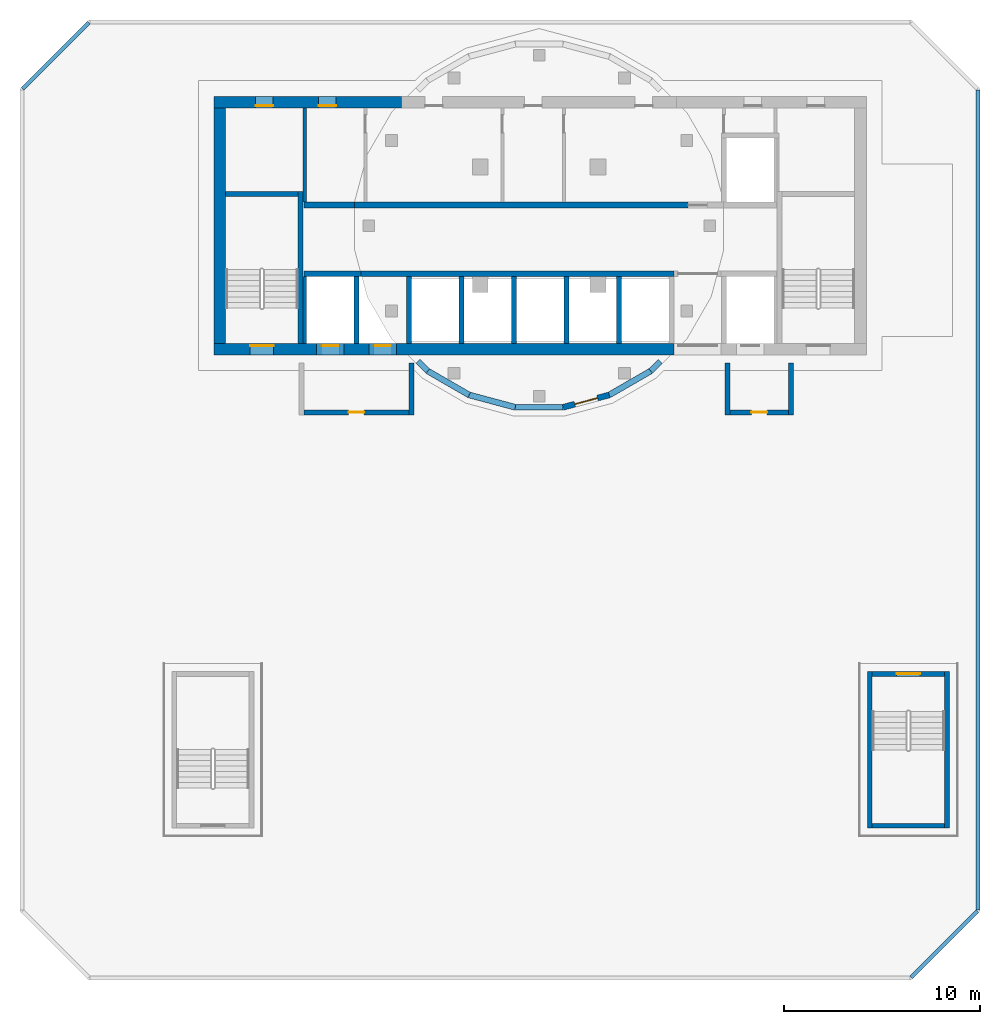
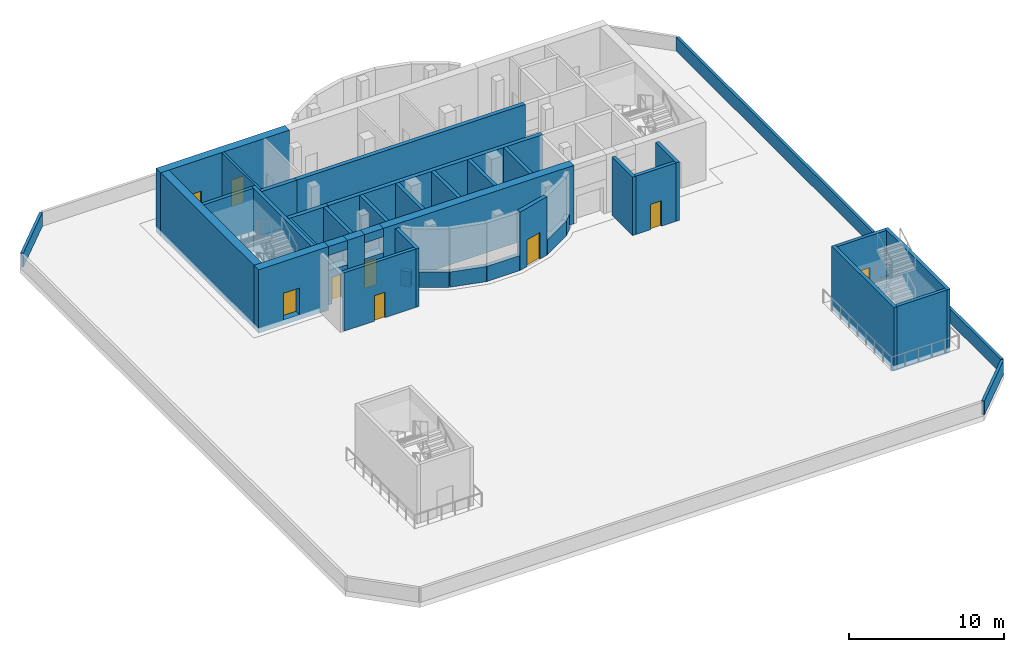
# One storey, part 2 of 7: 42 walls, 9 doors, 9 openings.
"""IFC4 building model written with IfcOpenShell, lengths in metres."""

from ifc_helpers import new_model, si_unit, direction, frame, frame_2d, origin, place, context, subcontext, project, spatial, rectangle, extrude, source, transform, mapped, material, layer, layer_set, type_object, element, fill, save


model = new_model("IFC4")

# Units and contexts
model_context = context("Model", 3, precision=1e-05, world=origin(), true_north=direction((0.0, 1.0)))
body_context = subcontext(model_context, "Body", "Model", "MODEL_VIEW")
ifc_project = project(units=[si_unit("LENGTHUNIT", "METRE"), si_unit("AREAUNIT", "SQUARE_METRE"), si_unit("VOLUMEUNIT", "CUBIC_METRE"), si_unit("PLANEANGLEUNIT", "RADIAN"), si_unit("MASSUNIT", "GRAM", prefix="KILO")], contexts=[model_context])

# Site, building, storey
site_placement = place(None, origin())
site = spatial("IfcSite", under=ifc_project, at=site_placement, CompositionType="ELEMENT")
building_placement = place(site_placement, origin())
building = spatial("IfcBuilding", under=site, at=building_placement, Name="Kilnfold Tower and Market Hall", CompositionType="ELEMENT")
storey_placement = place(building_placement, frame((0.0, 0.0, 318.800048828125)))
storey = spatial("IfcBuildingStorey", under=building, at=storey_placement, Name="L80 Crown Plant", CompositionType="ELEMENT", Elevation=318.800048828125)

# Walls
ifc_material_1 = material(Name="Concrete C50", Category="concrete")
ifc_layer_1 = layer(ifc_material_1, 0.25)
ifc_layer_set_1 = layer_set([ifc_layer_1], Name="Concrete C50")
wall_type_1 = type_object("IfcWallType", Name="CORE WALL 250 C50", PredefinedType="SHEAR", material=ifc_layer_set_1)
shared_shape_1 = source(origin(), body_context, "Body", "SweptSolid", [
    extrude(rectangle(XDim=7.75, YDim=0.25, at=frame_2d((3.875, 0.0))), origin(), (0.0, 0.0, 1.0), 5.0),
])
wall_1_placement = place(storey_placement, frame((-11.175048828125, 9.0, -0.400146484375), z_axis=(0.0, 0.0, 1.0), x_axis=(0.0, 1.0, 0.0)))
element("IfcWall", 1, at=wall_1_placement, inside=storey, type_object=wall_type_1, Name="Stair enclosure ST1", PredefinedType="SHEAR", context=body_context, shape_type="MappedRepresentation", body=[
    mapped(shared_shape_1, transform((0.0, 0.0, 0.0))),
])
shared_shape_2 = source(origin(), body_context, "Body", "SweptSolid", [
    extrude(rectangle(XDim=3.699951171875, YDim=0.25, at=frame_2d((1.85009765625, 0.0))), origin(), (0.0, 0.0, 1.0), 5.0),
])
for number, where, z_axis, x_axis, name in (
    (2, (-15.0, 16.625, -0.400146484375), (0.0, 0.0, 1.0), (1.0, 0.0, 0.0), "Stair enclosure ST1"),
    (3, (18.0, -15.625, -0.400146484375), (0.0, 0.0, 1.0), (1.0, 0.0, 0.0), "Stair enclosure ST4"),
):
    element("IfcWall", number, at=place(storey_placement, frame(where, z_axis=z_axis, x_axis=x_axis)), inside=storey, type_object=wall_type_1, Name=name, PredefinedType="SHEAR", context=body_context, shape_type="MappedRepresentation", body=[
        mapped(shared_shape_2, transform((0.0, 0.0, 0.0))),
    ])

# Wall, opening, door
wall_2_placement = place(storey_placement, frame((18.0, -7.875, -0.400146484375), z_axis=(0.0, 0.0, 1.0), x_axis=(1.0, 0.0, 0.0)))
wall_2 = element("IfcWall", 4, at=wall_2_placement, inside=storey, type_object=wall_type_1, Name="Stair enclosure ST4", PredefinedType="SHEAR", context=body_context, shape_type="MappedRepresentation", body=[
    mapped(shared_shape_2, transform((0.0, 0.0, 0.0))),
])
opening_1_placement = place(wall_2_placement, frame((1.25, 0.0, 0.39990234375)))
opening_1 = element("IfcOpeningElement", 5, at=opening_1_placement, cuts=wall_2, Name="Opening SD1", PredefinedType="OPENING", context=body_context, shape_type="SweptSolid", body=[
    extrude(rectangle(XDim=1.199951171875, YDim=2.10009765625, at=frame_2d((0.60009765625, 1.050048828125))), frame((0.0, 0.135009765625, 0.0), z_axis=(0.0, -1.0, 0.0), x_axis=(1.0, 0.0, 0.0)), (0.0, 0.0, 1.0), 0.27001953125),
])
ifc_material_2 = material(Name="Steel door set with fire-resisting leaf", Category="steel")
door_type_1 = type_object("IfcDoorType", Name="STAIR FLOOR DOOR 1200X2100", OperationType="NOTDEFINED", PredefinedType="DOOR", material=ifc_material_2)
door_1_placement = place(opening_1_placement, origin())
door_1 = element("IfcDoor", 6, at=door_1_placement, inside=storey, type_object=door_type_1, Name="Exit stair ST4 door", OperationType="DOUBLE_DOOR_SINGLE_SWING", OverallHeight=2.10009765625, OverallWidth=1.199951171875, PredefinedType="DOOR", context=body_context, shape_type="SweptSolid", body=[
    extrude(rectangle(XDim=1.199951171875, YDim=2.10009765625, at=frame_2d((0.60009765625, 1.050048828125))), frame((0.0, 0.02490234375, 0.0), z_axis=(0.0, -1.0, 0.0), x_axis=(1.0, 0.0, 0.0)), (0.0, 0.0, 1.0), 0.050048828125),
])
fill(opening_1, door_1)

# Walls
shared_shape_3 = source(origin(), body_context, "Body", "SweptSolid", [
    extrude(rectangle(XDim=8.0, YDim=0.25, at=frame_2d((4.0, 0.0))), origin(), (0.0, 0.0, 1.0), 5.0),
])
for number, where, z_axis, x_axis, name in (
    (7, (17.875, -15.75, -0.400146484375), (0.0, 0.0, 1.0), (0.0, 1.0, 0.0), "Stair enclosure ST4"),
    (8, (21.824951171875, -15.75, -0.400146484375), (0.0, 0.0, 1.0), (0.0, 1.0, 0.0), "Stair enclosure ST4"),
):
    element("IfcWall", number, at=place(storey_placement, frame(where, z_axis=z_axis, x_axis=x_axis)), inside=storey, type_object=wall_type_1, Name=name, PredefinedType="SHEAR", context=body_context, shape_type="MappedRepresentation", body=[
        mapped(shared_shape_3, transform((0.0, 0.0, 0.0))),
    ])

# Wall, opening, door
ifc_material_3 = material(Name="Concrete C50", Category="concrete")
ifc_layer_2 = layer(ifc_material_3, 0.60009765625)
ifc_layer_set_2 = layer_set([ifc_layer_2], Name="Concrete C50")
wall_type_2 = type_object("IfcWallType", Name="CORE WALL 600 C50", PredefinedType="SHEAR", material=ifc_layer_set_2)
shared_shape_4 = source(origin(), body_context, "Body", "SweptSolid", [
    extrude(rectangle(XDim=5.22998046875, YDim=0.60009765625, at=frame_2d((2.614990234375, 0.0))), origin(), (0.0, 0.0, 1.0), 5.0),
])
wall_3_placement = place(storey_placement, frame((-15.60009765625, 8.699951171875, -0.400146484375), z_axis=(0.0, 0.0, 1.0), x_axis=(1.0, 0.0, 0.0)))
wall_3 = element("IfcWall", 9, at=wall_3_placement, inside=storey, type_object=wall_type_2, Name="Core outer wall south", PredefinedType="SHEAR", context=body_context, shape_type="MappedRepresentation", body=[
    mapped(shared_shape_4, transform((0.0, 0.0, 0.0))),
])
opening_2_placement = place(wall_3_placement, frame((1.85009765625, 0.0, 0.39990234375)))
opening_2 = element("IfcOpeningElement", 10, at=opening_2_placement, cuts=wall_3, Name="Opening SD1", PredefinedType="OPENING", context=body_context, shape_type="SweptSolid", body=[
    extrude(rectangle(XDim=1.199951171875, YDim=2.10009765625, at=frame_2d((0.60009765625, 1.050048828125))), frame((0.0, 0.31005859375, 0.0), z_axis=(0.0, -1.0, 0.0), x_axis=(1.0, 0.0, 0.0)), (0.0, 0.0, 1.0), 0.6201171875),
])
door_2_placement = place(opening_2_placement, origin())
door_2 = element("IfcDoor", 11, at=door_2_placement, inside=storey, type_object=door_type_1, Name="Exit stair ST1 door", OperationType="DOUBLE_DOOR_SINGLE_SWING", OverallHeight=2.10009765625, OverallWidth=1.199951171875, PredefinedType="DOOR", context=body_context, shape_type="SweptSolid", body=[
    extrude(rectangle(XDim=1.199951171875, YDim=2.10009765625, at=frame_2d((0.60009765625, 1.050048828125))), frame((0.0, 0.205078125, 0.0), z_axis=(0.0, -1.0, 0.0), x_axis=(1.0, 0.0, 0.0)), (0.0, 0.0, 1.0), 0.050048828125),
])
fill(opening_2, door_2)

# Walls
shared_shape_5 = source(origin(), body_context, "Body", "SweptSolid", [
    extrude(rectangle(XDim=1.280029296875, YDim=0.60009765625, at=frame_2d((0.64013671875, 0.0))), origin(), (0.0, 0.0, 1.0), 5.0),
])
wall_4_placement = place(storey_placement, frame((-8.969970703125, 8.699951171875, -0.400146484375), z_axis=(0.0, 0.0, 1.0), x_axis=(1.0, 0.0, 0.0)))
element("IfcWall", 12, at=wall_4_placement, inside=storey, type_object=wall_type_2, Name="Core outer wall south", PredefinedType="SHEAR", context=body_context, shape_type="MappedRepresentation", body=[
    mapped(shared_shape_5, transform((0.0, 0.0, 0.0))),
])
shared_shape_6 = source(origin(), body_context, "Body", "SweptSolid", [
    extrude(rectangle(XDim=14.179931640625, YDim=0.60009765625, at=frame_2d((7.08984375, 0.0))), origin(), (0.0, 0.0, 1.0), 4.599853515625),
])
wall_5_placement = place(storey_placement, frame((-6.2900390625, 8.699951171875, 0.0), z_axis=(0.0, 0.0, 1.0), x_axis=(1.0, 0.0, 0.0)))
element("IfcWall", 13, at=wall_5_placement, inside=storey, type_object=wall_type_2, Name="Core outer wall south", PredefinedType="SHEAR", context=body_context, shape_type="MappedRepresentation", body=[
    mapped(shared_shape_6, transform((0.0, 0.0, 0.0))),
])

# Wall, openings, doors
shared_shape_7 = source(origin(), body_context, "Body", "SweptSolid", [
    extrude(rectangle(XDim=9.580078125, YDim=0.60009765625, at=frame_2d((4.7900390625, 0.0))), origin(), (0.0, 0.0, 1.0), 5.0),
])
wall_6_placement = place(storey_placement, frame((-15.60009765625, 21.300048828125, -0.400146484375), z_axis=(0.0, 0.0, 1.0), x_axis=(1.0, 0.0, 0.0)))
wall_6 = element("IfcWall", 14, at=wall_6_placement, inside=storey, type_object=wall_type_2, Name="Core outer wall north", PredefinedType="SHEAR", context=body_context, shape_type="MappedRepresentation", body=[
    mapped(shared_shape_7, transform((0.0, 0.0, 0.0))),
])
opening_3_placement = place(wall_6_placement, frame((5.340087890625, 0.0, 0.39990234375)))
opening_3 = element("IfcOpeningElement", 15, at=opening_3_placement, cuts=wall_6, Name="Opening KD1", PredefinedType="OPENING", context=body_context, shape_type="SweptSolid", body=[
    extrude(rectangle(XDim=0.89990234375, YDim=2.10009765625, at=frame_2d((0.449951171875, 1.050048828125))), frame((0.0, 0.31005859375, 0.0), z_axis=(0.0, -1.0, 0.0), x_axis=(1.0, 0.0, 0.0)), (0.0, 0.0, 1.0), 0.6201171875),
])
opening_4_placement = place(wall_6_placement, frame((2.125, 0.0, 0.39990234375)))
opening_4 = element("IfcOpeningElement", 16, at=opening_4_placement, cuts=wall_6, Name="Opening KD1", PredefinedType="OPENING", context=body_context, shape_type="SweptSolid", body=[
    extrude(rectangle(XDim=0.89990234375, YDim=2.10009765625, at=frame_2d((0.449951171875, 1.050048828125))), frame((0.0, 0.31005859375, 0.0), z_axis=(0.0, -1.0, 0.0), x_axis=(1.0, 0.0, 0.0)), (0.0, 0.0, 1.0), 0.6201171875),
])
ifc_material_4 = material(Name="Steel door set with fire-resisting leaf", Category="steel")
door_type_2 = type_object("IfcDoorType", Name="SERVICE DOOR 900X2100", OperationType="NOTDEFINED", PredefinedType="DOOR", material=ifc_material_4)
door_3_placement = place(opening_3_placement, origin())
door_3 = element("IfcDoor", 17, at=door_3_placement, inside=storey, type_object=door_type_2, Name="Core service door", OperationType="SINGLE_SWING_RIGHT", OverallHeight=2.10009765625, OverallWidth=0.89990234375, PredefinedType="DOOR", context=body_context, shape_type="SweptSolid", body=[
    extrude(rectangle(XDim=0.89990234375, YDim=2.10009765625, at=frame_2d((0.449951171875, 1.050048828125))), frame((0.0, -0.15478515625, 0.0), z_axis=(0.0, -1.0, 0.0), x_axis=(1.0, 0.0, 0.0)), (0.0, 0.0, 1.0), 0.050048828125),
])
fill(opening_3, door_3)
door_4_placement = place(opening_4_placement, origin())
door_4 = element("IfcDoor", 18, at=door_4_placement, inside=storey, type_object=door_type_2, Name="Electrical riser access door", OperationType="SINGLE_SWING_LEFT", OverallHeight=2.10009765625, OverallWidth=0.89990234375, PredefinedType="DOOR", context=body_context, shape_type="SweptSolid", body=[
    extrude(rectangle(XDim=0.89990234375, YDim=2.10009765625, at=frame_2d((0.449951171875, 1.050048828125))), frame((0.0, -0.15478515625, 0.0), z_axis=(0.0, -1.0, 0.0), x_axis=(1.0, 0.0, 0.0)), (0.0, 0.0, 1.0), 0.050048828125),
])
fill(opening_4, door_4)

# Walls
shared_shape_8 = source(origin(), body_context, "Body", "SweptSolid", [
    extrude(rectangle(XDim=12.0, YDim=0.60009765625, at=frame_2d((6.0, 0.0))), origin(), (0.0, 0.0, 1.0), 5.0),
])
wall_7_placement = place(storey_placement, frame((-15.300048828125, 9.0, -0.400146484375), z_axis=(0.0, 0.0, 1.0), x_axis=(0.0, 1.0, 0.0)))
element("IfcWall", 19, at=wall_7_placement, inside=storey, type_object=wall_type_2, Name="Core outer wall west", PredefinedType="SHEAR", context=body_context, shape_type="MappedRepresentation", body=[
    mapped(shared_shape_8, transform((0.0, 0.0, 0.0))),
])
ifc_material_5 = material(Name="Concrete C50", Category="concrete")
ifc_layer_3 = layer(ifc_material_5, 0.300048828125)
ifc_layer_set_3 = layer_set([ifc_layer_3], Name="Concrete C50")
wall_type_3 = type_object("IfcWallType", Name="CORE WALL 300 C50", PredefinedType="SHEAR", material=ifc_layer_set_3)
shared_shape_9 = source(origin(), body_context, "Body", "SweptSolid", [
    extrude(rectangle(XDim=15.984375, YDim=0.300048828125, at=frame_2d((7.9921875, 0.0))), origin(), (0.0, 0.0, 1.0), 4.599853515625),
])
wall_8_placement = place(storey_placement, frame((-8.094482421875, 12.550048828125, 0.0), z_axis=(0.0, 0.0, 1.0), x_axis=(1.0, 0.0, 0.0)))
element("IfcWall", 20, at=wall_8_placement, inside=storey, type_object=wall_type_3, Name="Core spine wall", PredefinedType="SHEAR", context=body_context, shape_type="MappedRepresentation", body=[
    mapped(shared_shape_9, transform((0.0, 0.0, 0.0))),
])
shared_shape_10 = source(origin(), body_context, "Body", "SweptSolid", [
    extrude(rectangle(XDim=2.91552734375, YDim=0.300048828125, at=frame_2d((1.457763671875, 0.0))), origin(), (0.0, 0.0, 1.0), 5.0),
])
wall_9_placement = place(storey_placement, frame((-11.010009765625, 12.550048828125, -0.400146484375), z_axis=(0.0, 0.0, 1.0), x_axis=(1.0, 0.0, 0.0)))
element("IfcWall", 21, at=wall_9_placement, inside=storey, type_object=wall_type_3, Name="Core spine wall", PredefinedType="SHEAR", context=body_context, shape_type="MappedRepresentation", body=[
    mapped(shared_shape_10, transform((0.0, 0.0, 0.0))),
])
shared_shape_11 = source(origin(), body_context, "Body", "SweptSolid", [
    extrude(rectangle(XDim=17.0087890625, YDim=0.300048828125, at=frame_2d((8.50439453125, 0.0))), origin(), (0.0, 0.0, 1.0), 4.599853515625),
])
wall_10_placement = place(storey_placement, frame((-8.418701171875, 16.050048828125, 0.0), z_axis=(0.0, 0.0, 1.0), x_axis=(1.0, 0.0, 0.0)))
element("IfcWall", 22, at=wall_10_placement, inside=storey, type_object=wall_type_3, Name="Core spine wall", PredefinedType="SHEAR", context=body_context, shape_type="MappedRepresentation", body=[
    mapped(shared_shape_11, transform((0.0, 0.0, 0.0))),
])
shared_shape_12 = source(origin(), body_context, "Body", "SweptSolid", [
    extrude(rectangle(XDim=2.59130859375, YDim=0.300048828125, at=frame_2d((1.295654296875, 0.0))), origin(), (0.0, 0.0, 1.0), 5.0),
])
wall_11_placement = place(storey_placement, frame((-11.010009765625, 16.050048828125, -0.400146484375), z_axis=(0.0, 0.0, 1.0), x_axis=(1.0, 0.0, 0.0)))
element("IfcWall", 23, at=wall_11_placement, inside=storey, type_object=wall_type_3, Name="Core spine wall", PredefinedType="SHEAR", context=body_context, shape_type="MappedRepresentation", body=[
    mapped(shared_shape_12, transform((0.0, 0.0, 0.0))),
])
shared_shape_13 = source(origin(), body_context, "Body", "SweptSolid", [
    extrude(rectangle(XDim=1.400146484375, YDim=0.60009765625, at=frame_2d((0.7001953125, 0.0))), origin(), (0.0, 0.0, 1.0), 0.699951171875),
])
wall_12_placement = place(storey_placement, frame((-10.3701171875, 8.699951171875, 3.89990234375), z_axis=(0.0, 0.0, 1.0), x_axis=(1.0, 0.0, 0.0)))
element("IfcWall", 24, at=wall_12_placement, inside=storey, type_object=wall_type_2, Name="Core wall over opening", PredefinedType="SHEAR", context=body_context, shape_type="MappedRepresentation", body=[
    mapped(shared_shape_13, transform((0.0, 0.0, 0.0))),
])
shared_shape_14 = source(origin(), body_context, "Body", "SweptSolid", [
    extrude(rectangle(XDim=1.39990234375, YDim=0.60009765625, at=frame_2d((0.699951171875, 0.0))), origin(), (0.0, 0.0, 1.0), 0.64990234375),
])
wall_13_placement = place(storey_placement, frame((-7.68994140625, 8.699951171875, 3.949951171875), z_axis=(0.0, 0.0, 1.0), x_axis=(1.0, 0.0, 0.0)))
element("IfcWall", 25, at=wall_13_placement, inside=storey, type_object=wall_type_2, Name="Core wall over opening", PredefinedType="SHEAR", context=body_context, shape_type="MappedRepresentation", body=[
    mapped(shared_shape_14, transform((0.0, 0.0, 0.0))),
])
ifc_material_6 = material(Name="Precast concrete C50/60", Category="concrete")
ifc_layer_4 = layer(ifc_material_6, 0.300048828125)
ifc_layer_set_4 = layer_set([ifc_layer_4], Name="Precast concrete C50/60")
wall_type_4 = type_object("IfcWallType", Name="PRECAST WALL 300", PredefinedType="SOLIDWALL", material=ifc_layer_set_4)
shared_shape_15 = source(origin(), body_context, "Body", "SweptSolid", [
    extrude(rectangle(XDim=2.4404296875, YDim=0.300048828125, at=frame_2d((1.22021484375, 0.0))), origin(), (0.0, 0.0, 1.0), 1.199951171875),
])
for number, where, z_axis, x_axis, name in (
    (26, (-0.22021484375, 5.731201171875, 0.0), (0.0, 0.0, 1.0), (1.0, 0.0, 0.0), "Drum knee wall L80 1"),
    (27, (4.57763671875, 6.36279296875, 0.0), (0.0, 0.0, 1.0), (0.866030657337, 0.49999090047, 0.0), "Drum knee wall L80 3"),
    (28, (-4.691162109375, 7.5830078125, 0.0), (0.0, 0.0, 1.0), (0.866030657337, -0.49999090047, 0.0), "Drum knee wall L80 23"),
):
    element("IfcWall", number, at=place(storey_placement, frame(where, z_axis=z_axis, x_axis=x_axis)), inside=storey, type_object=wall_type_4, Name=name, PredefinedType="SOLIDWALL", context=body_context, shape_type="MappedRepresentation", body=[
        mapped(shared_shape_15, transform((0.0, 0.0, 0.0))),
    ])

# Wall, opening, door
shared_shape_16 = source(origin(), body_context, "Body", "SweptSolid", [
    extrude(rectangle(XDim=2.440673828125, YDim=0.300048828125, at=frame_2d((1.22021484375, 0.0))), origin(), (0.0, 0.0, 1.0), 4.599853515625),
])
wall_14_placement = place(storey_placement, frame((2.22021484375, 5.731201171875, 0.0), z_axis=(0.0, 0.0, 1.0), x_axis=(0.96593376363, 0.258789420724, 0.0)))
wall_14 = element("IfcWall", 29, at=wall_14_placement, inside=storey, type_object=wall_type_4, Name="Drum wall L80 2", PredefinedType="SOLIDWALL", context=body_context, shape_type="MappedRepresentation", body=[
    mapped(shared_shape_16, transform((0.0, 0.0, 0.0))),
])
opening_5_placement = place(wall_14_placement, frame((0.6201171875, 0.0, 0.0)))
opening_5 = element("IfcOpeningElement", 30, at=opening_5_placement, cuts=wall_14, Name="Opening PD1", PredefinedType="OPENING", context=body_context, shape_type="SweptSolid", body=[
    extrude(rectangle(XDim=1.199951171875, YDim=2.10009765625, at=frame_2d((0.60009765625, 1.050048828125))), frame((0.0, 0.16015625, 0.0), z_axis=(0.0, -1.0, 0.0), x_axis=(1.0, 0.0, 0.0)), (0.0, 0.0, 1.0), 0.320068359375),
])
ifc_material_7 = material(Name="Galvanised steel and insulated core", Category="steel")
door_type_3 = type_object("IfcDoorType", Name="PLANT DOOR 1200X2100", OperationType="NOTDEFINED", PredefinedType="DOOR", material=ifc_material_7)
door_5_placement = place(opening_5_placement, origin())
door_5 = element("IfcDoor", 31, at=door_5_placement, inside=storey, type_object=door_type_3, Name="Roof access door PD1 L80", OperationType="SINGLE_SWING_RIGHT", OverallHeight=2.10009765625, OverallWidth=1.199951171875, PredefinedType="DOOR", context=body_context, shape_type="SweptSolid", body=[
    extrude(rectangle(XDim=1.199951171875, YDim=2.10009765625, at=frame_2d((0.60009765625, 1.050048828125))), frame((0.0, 0.02490234375, 0.0), z_axis=(0.0, -1.0, 0.0), x_axis=(1.0, 0.0, 0.0)), (0.0, 0.0, 1.0), 0.050048828125),
])
fill(opening_5, door_5)

# Walls
shared_shape_17 = source(origin(), body_context, "Body", "SweptSolid", [
    extrude(rectangle(XDim=0.697265625, YDim=0.300048828125, at=frame_2d((0.3486328125, 0.0))), origin(), (0.0, 0.0, 1.0), 1.199951171875),
])
for number, where, z_axis, x_axis, name in (
    (32, (6.691162109375, 7.5830078125, 0.0), (0.0, 0.0, 1.0), (0.706931689754, 0.707281829274, 0.0), "Drum knee wall L80 4"),
    (33, (-5.18408203125, 8.076171875, 0.0), (0.0, 0.0, 1.0), (0.706931689754, -0.707281829274, 0.0), "Drum knee wall L80 22"),
):
    element("IfcWall", number, at=place(storey_placement, frame(where, z_axis=z_axis, x_axis=x_axis)), inside=storey, type_object=wall_type_4, Name=name, PredefinedType="SOLIDWALL", context=body_context, shape_type="MappedRepresentation", body=[
        mapped(shared_shape_17, transform((0.0, 0.0, 0.0))),
    ])
shared_shape_18 = source(origin(), body_context, "Body", "SweptSolid", [
    extrude(rectangle(XDim=2.440673828125, YDim=0.300048828125, at=frame_2d((1.22021484375, 0.0))), origin(), (0.0, 0.0, 1.0), 1.199951171875),
])
wall_15_placement = place(storey_placement, frame((-2.57763671875, 6.36279296875, 0.0), z_axis=(0.0, 0.0, 1.0), x_axis=(0.96593376363, -0.258789420724, 0.0)))
element("IfcWall", 34, at=wall_15_placement, inside=storey, type_object=wall_type_4, Name="Drum knee wall L80 24", PredefinedType="SOLIDWALL", context=body_context, shape_type="MappedRepresentation", body=[
    mapped(shared_shape_18, transform((0.0, 0.0, 0.0))),
])
ifc_material_8 = material(Name="Precast concrete C50/60", Category="concrete")
ifc_layer_5 = layer(ifc_material_8, 0.199951171875)
ifc_layer_set_5 = layer_set([ifc_layer_5], Name="Precast concrete C50/60")
wall_type_5 = type_object("IfcWallType", Name="PARAPET WALL 200", PredefinedType="PARAPET", material=ifc_layer_set_5)
shared_shape_19 = source(origin(), body_context, "Body", "SweptSolid", [
    extrude(rectangle(XDim=4.783935546875, YDim=0.199951171875, at=frame_2d((2.39208984375, 0.0))), origin(), (0.0, 0.0, 1.0), 1.099853515625),
])
for number, where, z_axis, x_axis, name in (
    (35, (-25.37060546875, 21.98779296875, 0.0), (0.0, 0.0, 1.0), (0.707106781187, 0.707106781187, 0.0), "Maintenance roof parapet 1.1"),
    (36, (23.37060546875, -19.98779296875, 0.0), (0.0, 0.0, 1.0), (-0.707106781187, -0.707106781187, 0.0), "Maintenance roof parapet 1.5"),
):
    element("IfcWall", number, at=place(storey_placement, frame(where, z_axis=z_axis, x_axis=x_axis)), inside=storey, type_object=wall_type_5, Name=name, PredefinedType="PARAPET", context=body_context, shape_type="MappedRepresentation", body=[
        mapped(shared_shape_19, transform((0.0, 0.0, 0.0))),
    ])
shared_shape_20 = source(origin(), body_context, "Body", "SweptSolid", [
    extrude(rectangle(XDim=41.83447265625, YDim=0.199951171875, at=frame_2d((20.917236328125, 0.0))), origin(), (0.0, 0.0, 1.0), 1.099853515625),
])
wall_16_placement = place(storey_placement, frame((23.39990234375, 21.917236328125, 0.0), z_axis=(0.0, 0.0, 1.0), x_axis=(0.0, -1.0, 0.0)))
element("IfcWall", 37, at=wall_16_placement, inside=storey, type_object=wall_type_5, Name="Maintenance roof parapet 1.4", PredefinedType="PARAPET", context=body_context, shape_type="MappedRepresentation", body=[
    mapped(shared_shape_20, transform((0.0, 0.0, 0.0))),
])

# Wall, opening, door
ifc_material_9 = material(Name="Gypsum shaft wall system")
ifc_layer_6 = layer(ifc_material_9, 0.60009765625)
ifc_layer_set_6 = layer_set([ifc_layer_6], Name="Gypsum shaft wall system")
wall_type_6 = type_object("IfcWallType", Name="LOBBY WALL 600", PredefinedType="PARTITIONING", material=ifc_layer_set_6)
shared_shape_21 = source(origin(), body_context, "Body", "SweptSolid", [
    extrude(rectangle(XDim=1.400146484375, YDim=0.60009765625, at=frame_2d((0.7001953125, 0.0))), origin(), (0.0, 0.0, 1.0), 2.699951171875),
])
wall_17_placement = place(storey_placement, frame((-10.3701171875, 8.699951171875, 0.0), z_axis=(0.0, 0.0, 1.0), x_axis=(1.0, 0.0, 0.0)))
wall_17 = element("IfcWall", 38, at=wall_17_placement, inside=storey, type_object=wall_type_6, Name="Core wall infill", PredefinedType="PARTITIONING", context=body_context, shape_type="MappedRepresentation", body=[
    mapped(shared_shape_21, transform((0.0, 0.0, 0.0))),
])
opening_6_placement = place(wall_17_placement, frame((0.25, 0.0, 0.0)))
opening_6 = element("IfcOpeningElement", 39, at=opening_6_placement, cuts=wall_17, Name="Opening LD1", PredefinedType="OPENING", context=body_context, shape_type="SweptSolid", body=[
    extrude(rectangle(XDim=0.89990234375, YDim=2.10009765625, at=frame_2d((0.449951171875, 1.050048828125))), frame((0.0, 0.31005859375, 0.0), z_axis=(0.0, -1.0, 0.0), x_axis=(1.0, 0.0, 0.0)), (0.0, 0.0, 1.0), 0.6201171875),
])
ifc_material_10 = material(Name="Steel door set with fire-resisting leaf", Category="steel")
door_type_4 = type_object("IfcDoorType", Name="FIREFIGHTING LANDING DOOR 900X2100", OperationType="NOTDEFINED", PredefinedType="DOOR", material=ifc_material_10)
door_6_placement = place(opening_6_placement, origin())
door_6 = element("IfcDoor", 40, at=door_6_placement, inside=storey, type_object=door_type_4, Name="Landing door FF1", OperationType="SLIDING_TO_LEFT", OverallHeight=2.10009765625, OverallWidth=0.89990234375, PredefinedType="DOOR", context=body_context, shape_type="SweptSolid", body=[
    extrude(rectangle(XDim=0.89990234375, YDim=2.10009765625, at=frame_2d((0.449951171875, 1.050048828125))), frame((0.0, 0.205078125, 0.0), z_axis=(0.0, -1.0, 0.0), x_axis=(1.0, 0.0, 0.0)), (0.0, 0.0, 1.0), 0.050048828125),
])
fill(opening_6, door_6)

shared_shape_22 = source(origin(), body_context, "Body", "SweptSolid", [
    extrude(rectangle(XDim=1.39990234375, YDim=0.60009765625, at=frame_2d((0.699951171875, 0.0))), origin(), (0.0, 0.0, 1.0), 2.699951171875),
])
wall_18_placement = place(storey_placement, frame((-7.68994140625, 8.699951171875, 0.0), z_axis=(0.0, 0.0, 1.0), x_axis=(1.0, 0.0, 0.0)))
wall_18 = element("IfcWall", 41, at=wall_18_placement, inside=storey, type_object=wall_type_6, Name="Core wall infill", PredefinedType="PARTITIONING", context=body_context, shape_type="MappedRepresentation", body=[
    mapped(shared_shape_22, transform((0.0, 0.0, 0.0))),
])
opening_7_placement = place(wall_18_placement, frame((0.25, 0.0, 0.0)))
opening_7 = element("IfcOpeningElement", 42, at=opening_7_placement, cuts=wall_18, Name="Opening LD1", PredefinedType="OPENING", context=body_context, shape_type="SweptSolid", body=[
    extrude(rectangle(XDim=0.89990234375, YDim=2.10009765625, at=frame_2d((0.449951171875, 1.050048828125))), frame((0.0, 0.31005859375, 0.0), z_axis=(0.0, -1.0, 0.0), x_axis=(1.0, 0.0, 0.0)), (0.0, 0.0, 1.0), 0.6201171875),
])
door_7_placement = place(opening_7_placement, origin())
door_7 = element("IfcDoor", 43, at=door_7_placement, inside=storey, type_object=door_type_4, Name="Landing door FF2", OperationType="SLIDING_TO_RIGHT", OverallHeight=2.10009765625, OverallWidth=0.89990234375, PredefinedType="DOOR", context=body_context, shape_type="SweptSolid", body=[
    extrude(rectangle(XDim=0.89990234375, YDim=2.10009765625, at=frame_2d((0.449951171875, 1.050048828125))), frame((0.0, 0.205078125, 0.0), z_axis=(0.0, -1.0, 0.0), x_axis=(1.0, 0.0, 0.0)), (0.0, 0.0, 1.0), 0.050048828125),
])
fill(opening_7, door_7)

# Walls
ifc_material_11 = material(Name="Gypsum shaft wall system")
ifc_layer_7 = layer(ifc_material_11, 0.25)
ifc_layer_set_7 = layer_set([ifc_layer_7], Name="Gypsum shaft wall system")
wall_type_7 = type_object("IfcWallType", Name="LOBBY WALL 250", PredefinedType="PARTITIONING", material=ifc_layer_set_7)
shared_shape_23 = source(origin(), body_context, "Body", "SweptSolid", [
    extrude(rectangle(XDim=2.64990234375, YDim=0.25, at=frame_2d((1.324951171875, 0.0))), origin(), (0.0, 0.0, 1.0), 4.599853515625),
])
for number, where, z_axis, x_axis, name in (
    (44, (-5.52490234375, 5.35009765625, 0.0), (0.0, 0.0, 1.0), (0.0, 1.0, 0.0), "Firefighting lobby wall"),
    (45, (10.60498046875, 5.35009765625, 0.0), (0.0, 0.0, 1.0), (0.0, 1.0, 0.0), "Firefighting lobby wall"),
    (46, (13.85498046875, 5.35009765625, 0.0), (0.0, 0.0, 1.0), (0.0, 1.0, 0.0), "Firefighting lobby wall"),
):
    element("IfcWall", number, at=place(storey_placement, frame(where, z_axis=z_axis, x_axis=x_axis)), inside=storey, type_object=wall_type_7, Name=name, PredefinedType="PARTITIONING", context=body_context, shape_type="MappedRepresentation", body=[
        mapped(shared_shape_23, transform((0.0, 0.0, 0.0))),
    ])

# Wall, opening, door
shared_shape_24 = source(origin(), body_context, "Body", "SweptSolid", [
    extrude(rectangle(XDim=5.360107421875, YDim=0.25, at=frame_2d((2.68017578125, 0.0))), origin(), (0.0, 0.0, 1.0), 4.599853515625),
])
wall_19_placement = place(storey_placement, frame((-11.010009765625, 5.47509765625, 0.0), z_axis=(0.0, 0.0, 1.0), x_axis=(1.0, 0.0, 0.0)))
wall_19 = element("IfcWall", 47, at=wall_19_placement, inside=storey, type_object=wall_type_7, Name="Firefighting lobby wall", PredefinedType="PARTITIONING", context=body_context, shape_type="MappedRepresentation", body=[
    mapped(shared_shape_24, transform((0.0, 0.0, 0.0))),
])
opening_8_placement = place(wall_19_placement, frame((2.280029296875, 0.0, 0.0)))
opening_8 = element("IfcOpeningElement", 48, at=opening_8_placement, cuts=wall_19, Name="Opening VD1", PredefinedType="OPENING", context=body_context, shape_type="SweptSolid", body=[
    extrude(rectangle(XDim=0.800048828125, YDim=2.0, at=frame_2d((0.39990234375, 1.0))), frame((0.0, 0.135009765625, 0.0), z_axis=(0.0, -1.0, 0.0), x_axis=(1.0, 0.0, 0.0)), (0.0, 0.0, 1.0), 0.27001953125),
])
ifc_material_12 = material(Name="Steel door set with fire-resisting leaf", Category="steel")
door_type_5 = type_object("IfcDoorType", Name="FIREFIGHTING LOBBY DOOR 800X2000", OperationType="NOTDEFINED", PredefinedType="DOOR", material=ifc_material_12)
door_8_placement = place(opening_8_placement, origin())
door_8 = element("IfcDoor", 49, at=door_8_placement, inside=storey, type_object=door_type_5, Name="Firefighting lobby door", OperationType="SINGLE_SWING_LEFT", OverallHeight=2.0, OverallWidth=0.800048828125, PredefinedType="DOOR", context=body_context, shape_type="SweptSolid", body=[
    extrude(rectangle(XDim=0.800048828125, YDim=2.0, at=frame_2d((0.39990234375, 1.0))), frame((0.0, 0.02490234375, 0.0), z_axis=(0.0, -1.0, 0.0), x_axis=(1.0, 0.0, 0.0)), (0.0, 0.0, 1.0), 0.050048828125),
])
fill(opening_8, door_8)

shared_shape_25 = source(origin(), body_context, "Body", "SweptSolid", [
    extrude(rectangle(XDim=3.0, YDim=0.25, at=frame_2d((1.5, 0.0))), origin(), (0.0, 0.0, 1.0), 4.599853515625),
])
wall_20_placement = place(storey_placement, frame((10.72998046875, 5.47509765625, 0.0), z_axis=(0.0, 0.0, 1.0), x_axis=(1.0, 0.0, 0.0)))
wall_20 = element("IfcWall", 50, at=wall_20_placement, inside=storey, type_object=wall_type_7, Name="Firefighting lobby wall", PredefinedType="PARTITIONING", context=body_context, shape_type="MappedRepresentation", body=[
    mapped(shared_shape_25, transform((0.0, 0.0, 0.0))),
])
opening_9_placement = place(wall_20_placement, frame((1.10009765625, 0.0, 0.0)))
opening_9 = element("IfcOpeningElement", 51, at=opening_9_placement, cuts=wall_20, Name="Opening VD1", PredefinedType="OPENING", context=body_context, shape_type="SweptSolid", body=[
    extrude(rectangle(XDim=0.800048828125, YDim=2.0, at=frame_2d((0.39990234375, 1.0))), frame((0.0, 0.135009765625, 0.0), z_axis=(0.0, -1.0, 0.0), x_axis=(1.0, 0.0, 0.0)), (0.0, 0.0, 1.0), 0.27001953125),
])
door_9_placement = place(opening_9_placement, origin())
door_9 = element("IfcDoor", 52, at=door_9_placement, inside=storey, type_object=door_type_5, Name="Firefighting lobby door", OperationType="SINGLE_SWING_RIGHT", OverallHeight=2.0, OverallWidth=0.800048828125, PredefinedType="DOOR", context=body_context, shape_type="SweptSolid", body=[
    extrude(rectangle(XDim=0.800048828125, YDim=2.0, at=frame_2d((0.39990234375, 1.0))), frame((0.0, 0.02490234375, 0.0), z_axis=(0.0, -1.0, 0.0), x_axis=(1.0, 0.0, 0.0)), (0.0, 0.0, 1.0), 0.050048828125),
])
fill(opening_9, door_9)

# Walls
ifc_material_13 = material(Name="Gypsum shaft wall system")
ifc_layer_8 = layer(ifc_material_13, 0.1650390625)
ifc_layer_set_8 = layer_set([ifc_layer_8], Name="Gypsum shaft wall system")
wall_type_8 = type_object("IfcWallType", Name="SHAFT WALL 165", PredefinedType="PARTITIONING", material=ifc_layer_set_8)
shared_shape_26 = source(origin(), body_context, "Body", "SweptSolid", [
    extrude(rectangle(XDim=4.800048828125, YDim=0.1650390625, at=frame_2d((2.39990234375, 0.0))), origin(), (0.0, 0.0, 1.0), 4.599853515625),
])
wall_21_placement = place(storey_placement, frame((-10.967529296875, 16.199951171875, 0.0), z_axis=(0.0, 0.0, 1.0), x_axis=(0.0, 1.0, 0.0)))
element("IfcWall", 53, at=wall_21_placement, inside=storey, type_object=wall_type_8, Name="Lift shaft wall", PredefinedType="PARTITIONING", context=body_context, shape_type="MappedRepresentation", body=[
    mapped(shared_shape_26, transform((0.0, 0.0, 0.0))),
])
ifc_material_14 = material(Name="Gypsum shaft wall system")
ifc_layer_9 = layer(ifc_material_14, 0.25)
ifc_layer_set_9 = layer_set([ifc_layer_9], Name="Gypsum shaft wall system")
wall_type_9 = type_object("IfcWallType", Name="SHAFT WALL 250", PredefinedType="PARTITIONING", material=ifc_layer_set_9)
shared_shape_27 = source(origin(), body_context, "Body", "SweptSolid", [
    extrude(rectangle(XDim=3.39990234375, YDim=0.25, at=frame_2d((1.699951171875, 0.0))), origin(), (0.0, 0.0, 1.0), 4.599853515625),
])
for number, where, z_axis, x_axis, name in (
    (54, (2.389892578125, 9.0, 0.0), (0.0, 0.0, 1.0), (0.0, 1.0, 0.0), "Lift shaft wall"),
    (55, (5.070068359375, 9.0, 0.0), (0.0, 0.0, 1.0), (0.0, 1.0, 0.0), "Lift shaft wall"),
    (56, (-0.2900390625, 9.0, 0.0), (0.0, 0.0, 1.0), (0.0, 1.0, 0.0), "Lift shaft wall"),
    (57, (-2.969970703125, 9.0, 0.0), (0.0, 0.0, 1.0), (0.0, 1.0, 0.0), "Lift shaft wall"),
    (58, (-5.64990234375, 9.0, 0.0), (0.0, 0.0, 1.0), (0.0, 1.0, 0.0), "Lift shaft wall"),
    (59, (-8.330078125, 9.0, 0.0), (0.0, 0.0, 1.0), (0.0, 1.0, 0.0), "Lift shaft wall"),
):
    element("IfcWall", number, at=place(storey_placement, frame(where, z_axis=z_axis, x_axis=x_axis)), inside=storey, type_object=wall_type_9, Name=name, PredefinedType="PARTITIONING", context=body_context, shape_type="MappedRepresentation", body=[
        mapped(shared_shape_27, transform((0.0, 0.0, 0.0))),
    ])
shared_shape_28 = source(origin(), body_context, "Body", "SweptSolid", [
    extrude(rectangle(XDim=3.39990234375, YDim=0.1650390625, at=frame_2d((1.699951171875, 0.0))), origin(), (0.0, 0.0, 1.0), 4.599853515625),
])
wall_22_placement = place(storey_placement, frame((-10.967529296875, 9.0, 0.0), z_axis=(0.0, 0.0, 1.0), x_axis=(0.0, 1.0, 0.0)))
element("IfcWall", 60, at=wall_22_placement, inside=storey, type_object=wall_type_8, Name="Lift shaft wall", PredefinedType="PARTITIONING", context=body_context, shape_type="MappedRepresentation", body=[
    mapped(shared_shape_28, transform((0.0, 0.0, 0.0))),
])

save(model, "model.ifc")
